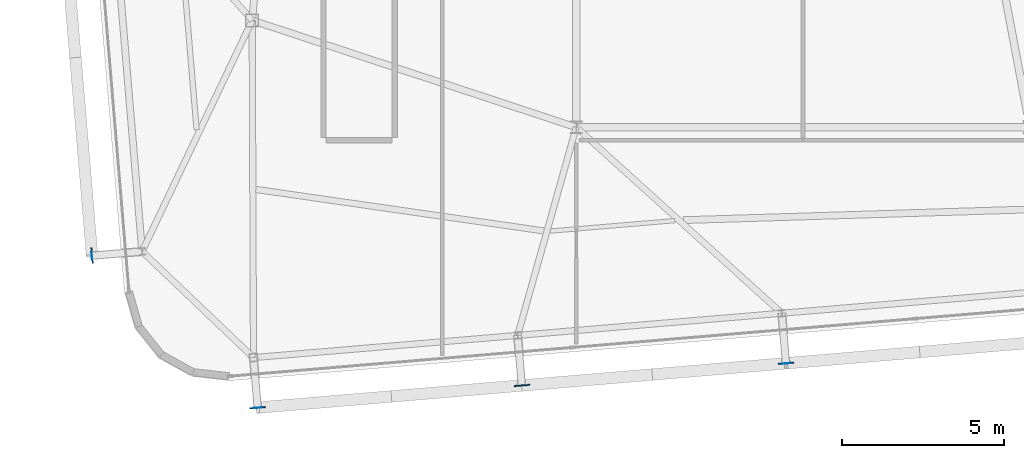
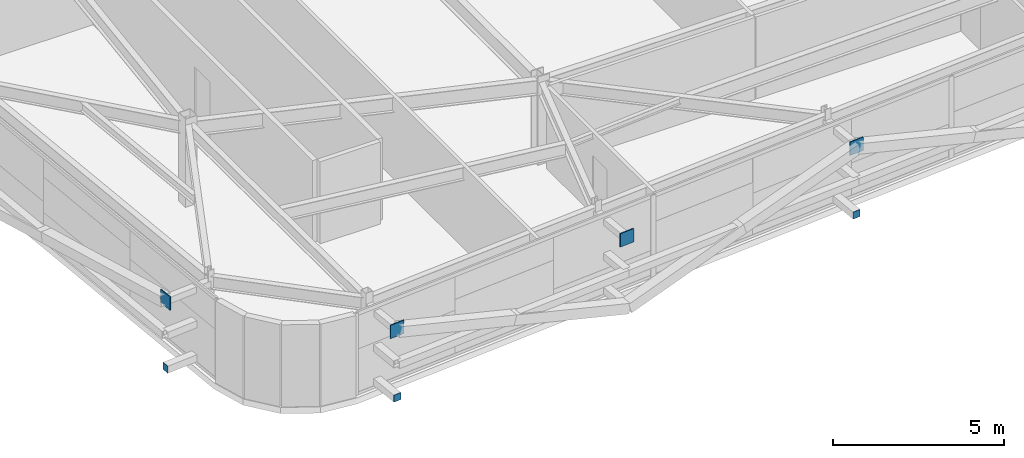
# One storey, part 27 of 37: 7 plates.
"""IFC4 building model written with IfcOpenShell, lengths in metres."""

from ifc_helpers import new_model, si_unit, direction, frame, origin, origin_2d, place, context, subcontext, project, spatial, rectangle, extrude, source, transform, mapped, material, layer, layer_set, type_object, element, save


model = new_model("IFC4")

# Units and contexts
model_context = context("Model", 3, precision=1e-05, world=origin(), true_north=direction((0.0, 1.0)))
body_context = subcontext(model_context, "Body", "Model", "MODEL_VIEW")
ifc_project = project(units=[si_unit("LENGTHUNIT", "METRE"), si_unit("AREAUNIT", "SQUARE_METRE"), si_unit("VOLUMEUNIT", "CUBIC_METRE"), si_unit("PLANEANGLEUNIT", "RADIAN"), si_unit("MASSUNIT", "GRAM", prefix="KILO")], contexts=[model_context])

# Site, building, storey
site_placement = place(None, origin())
site = spatial("IfcSite", under=ifc_project, at=site_placement, CompositionType="ELEMENT")
building_placement = place(site_placement, origin())
building = spatial("IfcBuilding", under=site, at=building_placement, Name="Taldren Reach Tower", CompositionType="ELEMENT")
storey_placement = place(building_placement, frame((0.0, 0.0, 200.89990234375)))
storey = spatial("IfcBuildingStorey", under=building, at=storey_placement, Name="L61", CompositionType="ELEMENT", Elevation=200.89990234375)

# Plates
ifc_material_1 = material(Name="Steel Gr 350 (C350L0)", Category="steel")
ifc_layer_1 = layer(ifc_material_1, 0.011962890625)
ifc_layer_set_1 = layer_set([ifc_layer_1], Name="Steel Gr 350 (C350L0)")
plate_type_1 = type_object("IfcPlateType", Name="PL-CAP-250", PredefinedType="SHEET", material=ifc_layer_set_1)
shared_shape_1 = source(origin(), body_context, "Body", "SweptSolid", [
    extrude(rectangle(XDim=0.25, YDim=0.011962890625, at=origin_2d()), origin(), (0.0, 0.0, 1.0), 0.25),
])
for number, where, z_axis, x_axis, name in (
    (1, (18.169921875, 0.54345703125, 0.09521484375), (0.0, 0.0, 1.0), (0.99649285925, 0.083677843332, 0.0), "Tie strut end cap plate B4-S1 L61"),
    (2, (34.472412109375, 1.912353515625, 0.09521484375), (0.0, 0.0, 1.0), (0.99649285925, 0.083677843332, 0.0), "Tie strut end cap plate B4-S3 L61"),
):
    element("IfcPlate", number, at=place(storey_placement, frame(where, z_axis=z_axis, x_axis=x_axis)), inside=storey, type_object=plate_type_1, Name=name, PredefinedType="SHEET", context=body_context, shape_type="MappedRepresentation", body=[
        mapped(shared_shape_1, transform((0.0, 0.0, 0.0), scale=1.0)),
    ])
shared_shape_2 = source(origin(), body_context, "Body", "SweptSolid", [
    extrude(rectangle(XDim=0.011962890625, YDim=0.25, at=origin_2d()), origin(), (0.0, 0.0, 1.0), 0.25),
])
plate_placement = place(storey_placement, frame((13.052978515625, 5.23779296875, 0.09521484375), z_axis=(0.0, 0.0, 1.0), x_axis=(0.99649285925, 0.083677843332, 0.0)))
element("IfcPlate", 3, at=plate_placement, inside=storey, type_object=plate_type_1, Name="Tie strut end cap plate B4-W1 L61", PredefinedType="SHEET", context=body_context, shape_type="MappedRepresentation", body=[
    mapped(shared_shape_2, transform((0.0, 0.0, 0.0), scale=1.0)),
])
ifc_material_2 = material(Name="Steel Gr 450 (C450L0)", Category="steel")
ifc_layer_2 = layer(ifc_material_2, 0.031982421875)
ifc_layer_set_2 = layer_set([ifc_layer_2], Name="Steel Gr 450 (C450L0)")
plate_type_2 = type_object("IfcPlateType", Name="PL-GUSSET-32", PredefinedType="SHEET", material=ifc_layer_set_2)
shared_shape_3 = source(origin(), body_context, "Body", "SweptSolid", [
    extrude(rectangle(XDim=0.47998046875, YDim=0.031982421875, at=origin_2d()), origin(), (0.0, 0.0, 1.0), 0.47998046875),
])
for number, where, z_axis, x_axis, name in (
    (4, (18.16943359375, 0.549560546875, 2.41015625), (0.0, 0.0, 1.0), (0.99649285925, 0.083677843332, 0.0), "Exoskeleton star-node gusset plate B4-S1 L61"),
    (5, (26.320556640625, 1.23388671875, 2.41015625), (0.0, 0.0, 1.0), (0.99649285925, 0.083677843332, 0.0), "Exoskeleton star-node gusset plate B4-S2 L61"),
    (6, (34.471923828125, 1.91845703125, 2.41015625), (0.0, 0.0, 1.0), (0.99649285925, 0.083677843332, 0.0), "Exoskeleton star-node gusset plate B4-S3 L61"),
    (7, (13.05908203125, 5.23828125, 2.41015625), (0.0, 0.0, 1.0), (-0.083677843332, 0.99649285925, 0.0), "Exoskeleton star-node gusset plate B4-W1 L61"),
):
    element("IfcPlate", number, at=place(storey_placement, frame(where, z_axis=z_axis, x_axis=x_axis)), inside=storey, type_object=plate_type_2, Name=name, PredefinedType="SHEET", context=body_context, shape_type="MappedRepresentation", body=[
        mapped(shared_shape_3, transform((0.0, 0.0, 0.0), scale=1.0)),
    ])

save(model, "model.ifc")
